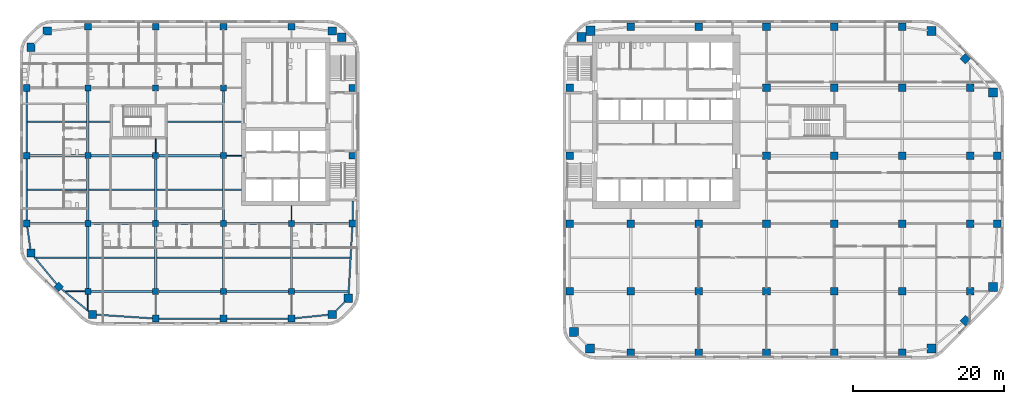
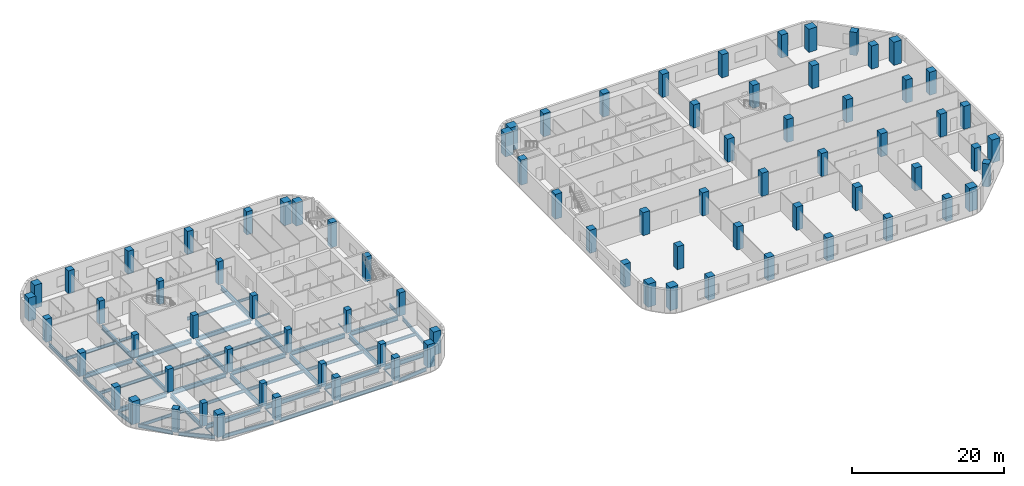
# One storey, part 1 of 16: 82 columns, 54 beams.
"""IFC4 building model written with IfcOpenShell, lengths in metres."""

from ifc_helpers import new_model, si_unit, direction, frame, origin, origin_2d, place, context, subcontext, project, spatial, rectangle, i_section, extrude, material, material_profile, profile_set, type_object, element, save


model = new_model("IFC4")

# Units and contexts
model_context = context("Model", 3, precision=1e-05, world=origin(), true_north=direction((0.0, 1.0)))
body_context = subcontext(model_context, "Body", "Model", "MODEL_VIEW")
ifc_project = project(units=[si_unit("LENGTHUNIT", "METRE"), si_unit("AREAUNIT", "SQUARE_METRE"), si_unit("VOLUMEUNIT", "CUBIC_METRE"), si_unit("PLANEANGLEUNIT", "RADIAN"), si_unit("MASSUNIT", "GRAM", prefix="KILO")], contexts=[model_context])

# Site, building, storey
site_placement = place(None, origin())
site = spatial("IfcSite", under=ifc_project, at=site_placement, CompositionType="ELEMENT")
building_placement = place(site_placement, origin())
building = spatial("IfcBuilding", under=site, at=building_placement, Name="Cinnabar Reach Civic Tower", CompositionType="ELEMENT")
storey_placement = place(building_placement, frame((0.0, 0.0, 42.0)))
storey = spatial("IfcBuildingStorey", under=building, at=storey_placement, Name="L09", CompositionType="ELEMENT", Elevation=42.0)

# Columns
ifc_material_1 = material(Name="Concrete C70", Category="concrete")
ifc_material_profile_1 = material_profile(ifc_material_1, rectangle(XDim=1.0, YDim=1.0, at=origin_2d()), Name="RC1000")
ifc_profile_set_1 = profile_set([ifc_material_profile_1], Name="Concrete C70")
column_type_1 = type_object("IfcColumnType", Name="RC1000 column R 240", PredefinedType="COLUMN", material=ifc_profile_set_1)
for number, where, z_axis, x_axis, name in (
    (1, (9.0, 0.9, 0.0), (0.0, 0.0, 1.0), (1.0, 0.0, 0.0), "Column T1-Z1-F0-1"),
    (2, (18.0, 0.9, 0.0), (0.0, 0.0, 1.0), (1.0, 0.0, 0.0), "Column T1-Z1-F0-2"),
    (3, (27.0, 0.9, 0.0), (0.0, 0.0, 1.0), (1.0, 0.0, 0.0), "Column T1-Z1-F0-3"),
    (4, (36.0, 0.9, 0.0), (0.0, 0.0, 1.0), (1.0, 0.0, 0.0), "Column T1-Z1-F0-4"),
    (5, (45.0, 0.9, 0.0), (0.0, 0.0, 1.0), (1.0, 0.0, 0.0), "Column T1-Z1-F0-5"),
    (6, (53.3636, 5.1364, 0.0), (0.0, 0.0, 1.0), (0.707106781187, 0.707106781187, 0.0), "Column T1-Z1-F1-M"),
    (7, (57.6, 18.0, 0.0), (0.0, 0.0, 1.0), (1.0, 0.0, 0.0), "Column T1-Z1-F2-2"),
    (8, (57.6, 27.0, 0.0), (0.0, 0.0, 1.0), (1.0, 0.0, 0.0), "Column T1-Z1-F2-3"),
    (9, (53.3636, 39.8636, 0.0), (0.0, 0.0, 1.0), (0.707106781187, 0.707106781187, 0.0), "Column T1-Z1-F3-M"),
    (10, (9.0, 44.1, 0.0), (0.0, 0.0, 1.0), (1.0, 0.0, 0.0), "Column T1-Z1-F4-1"),
    (11, (18.0, 44.1, 0.0), (0.0, 0.0, 1.0), (1.0, 0.0, 0.0), "Column T1-Z1-F4-2"),
    (12, (27.0, 44.1, 0.0), (0.0, 0.0, 1.0), (1.0, 0.0, 0.0), "Column T1-Z1-F4-3"),
    (13, (36.0, 44.1, 0.0), (0.0, 0.0, 1.0), (1.0, 0.0, 0.0), "Column T1-Z1-F4-4"),
    (14, (45.0, 44.1, 0.0), (0.0, 0.0, 1.0), (1.0, 0.0, 0.0), "Column T1-Z1-F4-5"),
    (15, (0.9, 9.0, 0.0), (0.0, 0.0, 1.0), (1.0, 0.0, 0.0), "Column T1-Z1-F6-1"),
    (16, (0.9, 18.0, 0.0), (0.0, 0.0, 1.0), (1.0, 0.0, 0.0), "Column T1-Z1-F6-2"),
):
    element("IfcColumn", number, at=place(storey_placement, frame(where, z_axis=z_axis, x_axis=x_axis)), inside=storey, type_object=column_type_1, Name=name, PredefinedType="COLUMN", context=body_context, shape_type="SweptSolid", body=[
        extrude(rectangle(XDim=1.0, YDim=1.0, at=origin_2d()), origin(), (0.0, 0.0, 1.0), 3.7),
    ])
for number, where, z_axis, x_axis, name in (
    (17, (0.9, 27.0, 0.0), (0.0, 0.0, 1.0), (1.0, 0.0, 0.0), "Column T1-Z1-F6-3"),
    (18, (0.9, 36.0, 0.0), (0.0, 0.0, 1.0), (1.0, 0.0, 0.0), "Column T1-Z1-F6-4"),
):
    element("IfcColumn", number, at=place(storey_placement, frame(where, z_axis=z_axis, x_axis=x_axis)), inside=storey, type_object=column_type_1, Name=name, PredefinedType="COLUMN", context=body_context, shape_type="SweptSolid", body=[
        extrude(rectangle(XDim=1.0, YDim=1.0, at=origin_2d()), origin(), (0.0, 0.0, 1.0), 4.0),
    ])
for number, where, z_axis, x_axis, name in (
    (19, (9.0, 9.0, 0.0), (0.0, 0.0, 1.0), (1.0, 0.0, 0.0), "Column T1-Z1-I9_9"),
    (20, (9.0, 18.0, 0.0), (0.0, 0.0, 1.0), (1.0, 0.0, 0.0), "Column T1-Z1-I9_18"),
    (21, (18.0, 9.0, 0.0), (0.0, 0.0, 1.0), (1.0, 0.0, 0.0), "Column T1-Z1-I18_9"),
    (22, (18.0, 18.0, 0.0), (0.0, 0.0, 1.0), (1.0, 0.0, 0.0), "Column T1-Z1-I18_18"),
    (23, (27.0, 9.0, 0.0), (0.0, 0.0, 1.0), (1.0, 0.0, 0.0), "Column T1-Z1-I27_9"),
    (24, (27.0, 18.0, 0.0), (0.0, 0.0, 1.0), (1.0, 0.0, 0.0), "Column T1-Z1-I27_18"),
    (25, (27.0, 27.0, 0.0), (0.0, 0.0, 1.0), (1.0, 0.0, 0.0), "Column T1-Z1-I27_27"),
    (26, (27.0, 36.0, 0.0), (0.0, 0.0, 1.0), (1.0, 0.0, 0.0), "Column T1-Z1-I27_36"),
    (27, (36.0, 9.0, 0.0), (0.0, 0.0, 1.0), (1.0, 0.0, 0.0), "Column T1-Z1-I36_9"),
    (28, (36.0, 18.0, 0.0), (0.0, 0.0, 1.0), (1.0, 0.0, 0.0), "Column T1-Z1-I36_18"),
    (29, (36.0, 27.0, 0.0), (0.0, 0.0, 1.0), (1.0, 0.0, 0.0), "Column T1-Z1-I36_27"),
    (30, (36.0, 36.0, 0.0), (0.0, 0.0, 1.0), (1.0, 0.0, 0.0), "Column T1-Z1-I36_36"),
    (31, (45.0, 9.0, 0.0), (0.0, 0.0, 1.0), (1.0, 0.0, 0.0), "Column T1-Z1-I45_9"),
    (32, (45.0, 18.0, 0.0), (0.0, 0.0, 1.0), (1.0, 0.0, 0.0), "Column T1-Z1-I45_18"),
    (33, (45.0, 27.0, 0.0), (0.0, 0.0, 1.0), (1.0, 0.0, 0.0), "Column T1-Z1-I45_27"),
    (34, (45.0, 36.0, 0.0), (0.0, 0.0, 1.0), (1.0, 0.0, 0.0), "Column T1-Z1-I45_36"),
    (35, (54.0, 9.0, 0.0), (0.0, 0.0, 1.0), (1.0, 0.0, 0.0), "Column T1-Z1-I54_9"),
    (36, (54.0, 18.0, 0.0), (0.0, 0.0, 1.0), (1.0, 0.0, 0.0), "Column T1-Z1-I54_18"),
    (37, (54.0, 27.0, 0.0), (0.0, 0.0, 1.0), (1.0, 0.0, 0.0), "Column T1-Z1-I54_27"),
    (38, (54.0, 36.0, 0.0), (0.0, 0.0, 1.0), (1.0, 0.0, 0.0), "Column T1-Z1-I54_36"),
):
    element("IfcColumn", number, at=place(storey_placement, frame(where, z_axis=z_axis, x_axis=x_axis)), inside=storey, type_object=column_type_1, Name=name, PredefinedType="COLUMN", context=body_context, shape_type="SweptSolid", body=[
        extrude(rectangle(XDim=1.0, YDim=1.0, at=origin_2d()), origin(), (0.0, 0.0, 1.0), 3.7),
    ])
ifc_material_2 = material(Name="Concrete C80", Category="concrete")
ifc_material_profile_2 = material_profile(ifc_material_2, rectangle(XDim=1.1, YDim=1.1, at=origin_2d()), Name="RC1100")
ifc_profile_set_2 = profile_set([ifc_material_profile_2], Name="Concrete C80")
column_type_2 = type_object("IfcColumnType", Name="RC1100 column R 180", PredefinedType="COLUMN", material=ifc_profile_set_2)
for number, where, z_axis, x_axis, name in (
    (39, (-62.3981, 5.9531, 0.0), (0.0, 0.0, 1.0), (1.0, 0.0, 0.0), "Column T2-Z1-CC0"),
    (40, (-30.6019, 5.9531, 0.0), (0.0, 0.0, 1.0), (1.0, 0.0, 0.0), "Column T2-Z1-CC1"),
    (41, (-28.4531, 8.1019, 0.0), (0.0, 0.0, 1.0), (1.0, 0.0, 0.0), "Column T2-Z1-CC2"),
    (42, (-29.3131, 42.7, 0.0), (0.0, 0.0, 1.0), (1.0, 0.0, 0.0), "Column T2-Z1-CC3"),
    (43, (-30.6019, 43.5469, 0.0), (0.0, 0.0, 1.0), (1.0, 0.0, 0.0), "Column T2-Z1-CC4"),
    (44, (-68.3981, 43.5469, 0.0), (0.0, 0.0, 1.0), (1.0, 0.0, 0.0), "Column T2-Z1-CC5"),
    (45, (-70.5469, 41.3981, 0.0), (0.0, 0.0, 1.0), (1.0, 0.0, 0.0), "Column T2-Z1-CC6"),
    (46, (-70.5469, 14.1019, 0.0), (0.0, 0.0, 1.0), (1.0, 0.0, 0.0), "Column T2-Z1-CC7"),
):
    element("IfcColumn", number, at=place(storey_placement, frame(where, z_axis=z_axis, x_axis=x_axis)), inside=storey, type_object=column_type_2, Name=name, PredefinedType="COLUMN", context=body_context, shape_type="SweptSolid", body=[
        extrude(rectangle(XDim=1.1, YDim=1.1, at=origin_2d()), origin(), (0.0, 0.0, 1.0), 3.7),
    ])
ifc_material_profile_3 = material_profile(ifc_material_2, rectangle(XDim=1.2, YDim=1.2, at=origin_2d()), Name="RC1200")
ifc_profile_set_3 = profile_set([ifc_material_profile_3], Name="Concrete C80")
column_type_3 = type_object("IfcColumnType", Name="RC1200 column R 240", PredefinedType="COLUMN", material=ifc_profile_set_3)
for number, where, z_axis, x_axis, name in (
    (47, (3.6019, 1.4531, 0.0), (0.0, 0.0, 1.0), (1.0, 0.0, 0.0), "Column T1-Z1-CC0"),
    (48, (48.8981, 1.4531, 0.0), (0.0, 0.0, 1.0), (1.0, 0.0, 0.0), "Column T1-Z1-CC1"),
    (49, (57.0469, 9.6019, 0.0), (0.0, 0.0, 1.0), (1.0, 0.0, 0.0), "Column T1-Z1-CC2"),
    (50, (57.0469, 35.3981, 0.0), (0.0, 0.0, 1.0), (1.0, 0.0, 0.0), "Column T1-Z1-CC3"),
    (51, (48.8981, 43.5469, 0.0), (0.0, 0.0, 1.0), (1.0, 0.0, 0.0), "Column T1-Z1-CC4"),
    (52, (3.6666, 43.5737, 0.0), (0.0, 0.0, 1.0), (1.0, 0.0, 0.0), "Column T1-Z1-CC5"),
    (53, (2.4631, 42.75, 0.0), (0.0, 0.0, 1.0), (1.0, 0.0, 0.0), "Column T1-Z1-CC6"),
    (54, (1.4531, 3.6019, 0.0), (0.0, 0.0, 1.0), (1.0, 0.0, 0.0), "Column T1-Z1-CC7"),
):
    element("IfcColumn", number, at=place(storey_placement, frame(where, z_axis=z_axis, x_axis=x_axis)), inside=storey, type_object=column_type_3, Name=name, PredefinedType="COLUMN", context=body_context, shape_type="SweptSolid", body=[
        extrude(rectangle(XDim=1.2, YDim=1.2, at=origin_2d()), origin(), (0.0, 0.0, 1.0), 3.7),
    ])
ifc_material_3 = material(Name="Concrete C60", Category="concrete")
ifc_material_profile_4 = material_profile(ifc_material_3, rectangle(XDim=0.8, YDim=0.8, at=origin_2d()), Name="RC800")
ifc_profile_set_4 = profile_set([ifc_material_profile_4], Name="Concrete C60")
column_type_4 = type_object("IfcColumnType", Name="RC800 column R 180", PredefinedType="COLUMN", material=ifc_profile_set_4)
for number, where, z_axis, x_axis, name in (
    (55, (-63.0, 9.0, 0.0), (0.0, 0.0, 1.0), (1.0, 0.0, 0.0), "Column T2-Z1-I-63_9"),
    (56, (-63.0, 18.0, 0.0), (0.0, 0.0, 1.0), (1.0, 0.0, 0.0), "Column T2-Z1-I-63_18"),
    (57, (-63.0, 27.0, 0.0), (0.0, 0.0, 1.0), (1.0, 0.0, 0.0), "Column T2-Z1-I-63_27"),
    (58, (-63.0, 36.0, 0.0), (0.0, 0.0, 1.0), (1.0, 0.0, 0.0), "Column T2-Z1-I-63_36"),
    (59, (-54.0, 9.0, 0.0), (0.0, 0.0, 1.0), (1.0, 0.0, 0.0), "Column T2-Z1-I-54_9"),
    (60, (-54.0, 18.0, 0.0), (0.0, 0.0, 1.0), (1.0, 0.0, 0.0), "Column T2-Z1-I-54_18"),
    (61, (-54.0, 27.0, 0.0), (0.0, 0.0, 1.0), (1.0, 0.0, 0.0), "Column T2-Z1-I-54_27"),
    (62, (-54.0, 36.0, 0.0), (0.0, 0.0, 1.0), (1.0, 0.0, 0.0), "Column T2-Z1-I-54_36"),
    (63, (-45.0, 9.0, 0.0), (0.0, 0.0, 1.0), (1.0, 0.0, 0.0), "Column T2-Z1-I-45_9"),
    (64, (-45.0, 18.0, 0.0), (0.0, 0.0, 1.0), (1.0, 0.0, 0.0), "Column T2-Z1-I-45_18"),
    (65, (-45.0, 27.0, 0.0), (0.0, 0.0, 1.0), (1.0, 0.0, 0.0), "Column T2-Z1-I-45_27"),
    (66, (-45.0, 36.0, 0.0), (0.0, 0.0, 1.0), (1.0, 0.0, 0.0), "Column T2-Z1-I-45_36"),
    (67, (-36.0, 9.0, 0.0), (0.0, 0.0, 1.0), (1.0, 0.0, 0.0), "Column T2-Z1-I-36_9"),
    (68, (-36.0, 18.0, 0.0), (0.0, 0.0, 1.0), (1.0, 0.0, 0.0), "Column T2-Z1-I-36_18"),
):
    element("IfcColumn", number, at=place(storey_placement, frame(where, z_axis=z_axis, x_axis=x_axis)), inside=storey, type_object=column_type_4, Name=name, PredefinedType="COLUMN", context=body_context, shape_type="SweptSolid", body=[
        extrude(rectangle(XDim=0.8, YDim=0.8, at=origin_2d()), origin(), (0.0, 0.0, 1.0), 3.7),
    ])
ifc_material_profile_5 = material_profile(ifc_material_1, rectangle(XDim=0.9, YDim=0.9, at=origin_2d()), Name="RC900")
ifc_profile_set_5 = profile_set([ifc_material_profile_5], Name="Concrete C70")
column_type_5 = type_object("IfcColumnType", Name="RC900 column R 180", PredefinedType="COLUMN", material=ifc_profile_set_5)
for number, where, z_axis, x_axis, name in (
    (69, (-54.0, 5.4, 0.0), (0.0, 0.0, 1.0), (1.0, 0.0, 0.0), "Column T2-Z1-F0--6"),
    (70, (-45.0, 5.4, 0.0), (0.0, 0.0, 1.0), (1.0, 0.0, 0.0), "Column T2-Z1-F0--5"),
    (71, (-36.0, 5.4, 0.0), (0.0, 0.0, 1.0), (1.0, 0.0, 0.0), "Column T2-Z1-F0--4"),
    (72, (-27.9, 18.0, 0.0), (0.0, 0.0, 1.0), (1.0, 0.0, 0.0), "Column T2-Z1-F2-2"),
):
    element("IfcColumn", number, at=place(storey_placement, frame(where, z_axis=z_axis, x_axis=x_axis)), inside=storey, type_object=column_type_5, Name=name, PredefinedType="COLUMN", context=body_context, shape_type="SweptSolid", body=[
        extrude(rectangle(XDim=0.9, YDim=0.9, at=origin_2d()), origin(), (0.0, 0.0, 1.0), 3.7),
    ])
for number, where, z_axis, x_axis, name in (
    (73, (-27.9, 27.0, 0.0), (0.0, 0.0, 1.0), (1.0, 0.0, 0.0), "Column T2-Z1-F2-3"),
    (74, (-27.9, 36.0, 0.0), (0.0, 0.0, 1.0), (1.0, 0.0, 0.0), "Column T2-Z1-F2-4"),
):
    element("IfcColumn", number, at=place(storey_placement, frame(where, z_axis=z_axis, x_axis=x_axis)), inside=storey, type_object=column_type_5, Name=name, PredefinedType="COLUMN", context=body_context, shape_type="SweptSolid", body=[
        extrude(rectangle(XDim=0.9, YDim=0.9, at=origin_2d()), origin(), (0.0, 0.0, 1.0), 4.0),
    ])
for number, where, z_axis, x_axis, name in (
    (75, (-63.0, 44.1, 0.0), (0.0, 0.0, 1.0), (1.0, 0.0, 0.0), "Column T2-Z1-F4--7"),
    (76, (-54.0, 44.1, 0.0), (0.0, 0.0, 1.0), (1.0, 0.0, 0.0), "Column T2-Z1-F4--6"),
    (77, (-45.0, 44.1, 0.0), (0.0, 0.0, 1.0), (1.0, 0.0, 0.0), "Column T2-Z1-F4--5"),
    (78, (-36.0, 44.1, 0.0), (0.0, 0.0, 1.0), (1.0, 0.0, 0.0), "Column T2-Z1-F4--4"),
    (79, (-71.1, 18.0, 0.0), (0.0, 0.0, 1.0), (1.0, 0.0, 0.0), "Column T2-Z1-F6-2"),
    (80, (-71.1, 27.0, 0.0), (0.0, 0.0, 1.0), (1.0, 0.0, 0.0), "Column T2-Z1-F6-3"),
    (81, (-71.1, 36.0, 0.0), (0.0, 0.0, 1.0), (1.0, 0.0, 0.0), "Column T2-Z1-F6-4"),
    (82, (-66.8636, 9.6364, 0.0), (0.0, 0.0, 1.0), (0.707106781187, 0.707106781187, 0.0), "Column T2-Z1-F7-M"),
):
    element("IfcColumn", number, at=place(storey_placement, frame(where, z_axis=z_axis, x_axis=x_axis)), inside=storey, type_object=column_type_5, Name=name, PredefinedType="COLUMN", context=body_context, shape_type="SweptSolid", body=[
        extrude(rectangle(XDim=0.9, YDim=0.9, at=origin_2d()), origin(), (0.0, 0.0, 1.0), 3.7),
    ])

# Beams
ifc_material_4 = material(Name="Steel Q355B", Category="steel")
ifc_material_profile_6 = material_profile(ifc_material_4, i_section(OverallWidth=0.099, OverallDepth=0.198, WebThickness=0.0045, FlangeThickness=0.007, FilletRadius=0.013, at=origin_2d()), Name="HN200x100x5.5x8")
ifc_profile_set_6 = profile_set([ifc_material_profile_6], Name="Steel Q355B")
beam_type_1 = type_object("IfcBeamType", Name="HN200x100x5.5x8 beam R 120", PredefinedType="BEAM", material=ifc_profile_set_6)
beam_1_placement = place(storey_placement, frame((-63.0, 6.5818, -0.249), z_axis=(0.0, 1.0, 0.0), x_axis=(-1.0, 0.0, 0.0)))
element("IfcBeam", 83, at=beam_1_placement, inside=storey, type_object=beam_type_1, Name="Girder T2 L09 1", PredefinedType="BEAM", context=body_context, shape_type="SweptSolid", body=[
    extrude(i_section(OverallWidth=0.099, OverallDepth=0.198, WebThickness=0.0045, FlangeThickness=0.007, FilletRadius=0.013, at=origin_2d()), origin(), (0.0, 0.0, 1.0), 2.0162),
])
beam_2_placement = place(storey_placement, frame((-54.0, 5.852, -0.249), z_axis=(0.0, 1.0, 0.0), x_axis=(-1.0, 0.0, 0.0)))
element("IfcBeam", 84, at=beam_2_placement, inside=storey, type_object=beam_type_1, Name="Girder T2 L09 6", PredefinedType="BEAM", context=body_context, shape_type="SweptSolid", body=[
    extrude(i_section(OverallWidth=0.099, OverallDepth=0.198, WebThickness=0.0045, FlangeThickness=0.007, FilletRadius=0.013, at=origin_2d()), origin(), (0.0, 0.0, 1.0), 2.746),
])
beam_3_placement = place(storey_placement, frame((-54.0, 27.402, -0.249), z_axis=(0.0, 1.0, 0.0), x_axis=(-1.0, 0.0, 0.0)))
element("IfcBeam", 85, at=beam_3_placement, inside=storey, type_object=beam_type_1, Name="Girder T2 L09 9", PredefinedType="BEAM", context=body_context, shape_type="SweptSolid", body=[
    extrude(i_section(OverallWidth=0.099, OverallDepth=0.198, WebThickness=0.0045, FlangeThickness=0.007, FilletRadius=0.013, at=origin_2d()), origin(), (0.0, 0.0, 1.0), 1.846),
])
for number, where, z_axis, x_axis, name in (
    (86, (-45.0, 5.852, -0.249), (0.0, 1.0, 0.0), (-1.0, 0.0, 0.0), "Girder T2 L09 12"),
    (87, (-36.0, 5.852, -0.249), (0.0, 1.0, 0.0), (-1.0, 0.0, 0.0), "Girder T2 L09 17"),
):
    element("IfcBeam", number, at=place(storey_placement, frame(where, z_axis=z_axis, x_axis=x_axis)), inside=storey, type_object=beam_type_1, Name=name, PredefinedType="BEAM", context=body_context, shape_type="SweptSolid", body=[
        extrude(i_section(OverallWidth=0.099, OverallDepth=0.198, WebThickness=0.0045, FlangeThickness=0.007, FilletRadius=0.013, at=origin_2d()), origin(), (0.0, 0.0, 1.0), 2.746),
    ])
beam_4_placement = place(storey_placement, frame((-36.0, 18.402, -0.249), z_axis=(0.0, 1.0, 0.0), x_axis=(-1.0, 0.0, 0.0)))
element("IfcBeam", 88, at=beam_4_placement, inside=storey, type_object=beam_type_1, Name="Girder T2 L09 19", PredefinedType="BEAM", context=body_context, shape_type="SweptSolid", body=[
    extrude(i_section(OverallWidth=0.099, OverallDepth=0.198, WebThickness=0.0045, FlangeThickness=0.007, FilletRadius=0.013, at=origin_2d()), origin(), (0.0, 0.0, 1.0), 1.996),
])
ifc_material_profile_7 = material_profile(ifc_material_4, i_section(OverallWidth=0.124, OverallDepth=0.248, WebThickness=0.005, FlangeThickness=0.008, FilletRadius=0.013, at=origin_2d()), Name="HN250x125x6x9")
ifc_profile_set_7 = profile_set([ifc_material_profile_7], Name="Steel Q355B")
beam_type_2 = type_object("IfcBeamType", Name="HN250x125x6x9 beam R 120", PredefinedType="BEAM", material=ifc_profile_set_7)
beam_5_placement = place(storey_placement, frame((-65.9318, 9.0, -0.274), z_axis=(1.0, 0.0, 0.0), x_axis=(0.0, 1.0, 0.0)))
element("IfcBeam", 89, at=beam_5_placement, inside=storey, type_object=beam_type_2, Name="Girder T2 L09 1", PredefinedType="BEAM", context=body_context, shape_type="SweptSolid", body=[
    extrude(i_section(OverallWidth=0.124, OverallDepth=0.248, WebThickness=0.005, FlangeThickness=0.008, FilletRadius=0.013, at=origin_2d()), origin(), (0.0, 0.0, 1.0), 2.5298),
])
beam_6_placement = place(storey_placement, frame((-44.598, 27.0, -0.274), z_axis=(1.0, 0.0, 0.0), x_axis=(0.0, 1.0, 0.0)))
element("IfcBeam", 90, at=beam_6_placement, inside=storey, type_object=beam_type_2, Name="Girder T2 L09 14", PredefinedType="BEAM", context=body_context, shape_type="SweptSolid", body=[
    extrude(i_section(OverallWidth=0.124, OverallDepth=0.248, WebThickness=0.005, FlangeThickness=0.008, FilletRadius=0.013, at=origin_2d()), origin(), (0.0, 0.0, 1.0), 1.996),
])
ifc_material_profile_8 = material_profile(ifc_material_4, i_section(OverallWidth=0.2, OverallDepth=0.4, WebThickness=0.008, FlangeThickness=0.013, FilletRadius=0.016, at=origin_2d()), Name="HN400x200x8x13")
ifc_profile_set_8 = profile_set([ifc_material_profile_8], Name="Steel Q355B")
beam_type_3 = type_object("IfcBeamType", Name="HN400x200x8x13 beam R 120", PredefinedType="BEAM", material=ifc_profile_set_8)
beam_7_placement = place(storey_placement, frame((-44.848, 22.5, -0.35), z_axis=(1.0, 0.0, 0.0), x_axis=(0.0, 1.0, 0.0)))
element("IfcBeam", 91, at=beam_7_placement, inside=storey, type_object=beam_type_3, Name="Secondary beam T2 L09 9", PredefinedType="BEAM", context=body_context, shape_type="SweptSolid", body=[
    extrude(i_section(OverallWidth=0.2, OverallDepth=0.4, WebThickness=0.008, FlangeThickness=0.013, FilletRadius=0.016, at=origin_2d()), origin(), (0.0, 0.0, 1.0), 2.246),
])
beam_8_placement = place(storey_placement, frame((-62.848, 31.5, -0.35), z_axis=(1.0, 0.0, 0.0), x_axis=(0.0, 1.0, 0.0)))
element("IfcBeam", 92, at=beam_8_placement, inside=storey, type_object=beam_type_3, Name="Secondary beam T2 L09 11", PredefinedType="BEAM", context=body_context, shape_type="SweptSolid", body=[
    extrude(i_section(OverallWidth=0.2, OverallDepth=0.4, WebThickness=0.008, FlangeThickness=0.013, FilletRadius=0.016, at=origin_2d()), origin(), (0.0, 0.0, 1.0), 2.846),
])
beam_9_placement = place(storey_placement, frame((-44.848, 31.5, -0.35), z_axis=(1.0, 0.0, 0.0), x_axis=(0.0, 1.0, 0.0)))
element("IfcBeam", 93, at=beam_9_placement, inside=storey, type_object=beam_type_3, Name="Secondary beam T2 L09 13", PredefinedType="BEAM", context=body_context, shape_type="SweptSolid", body=[
    extrude(i_section(OverallWidth=0.2, OverallDepth=0.4, WebThickness=0.008, FlangeThickness=0.013, FilletRadius=0.016, at=origin_2d()), origin(), (0.0, 0.0, 1.0), 2.246),
])
ifc_material_profile_9 = material_profile(ifc_material_4, i_section(OverallWidth=0.2, OverallDepth=0.5, WebThickness=0.01, FlangeThickness=0.016, FilletRadius=0.016, at=origin_2d()), Name="HN500x200x10x16")
ifc_profile_set_9 = profile_set([ifc_material_profile_9], Name="Steel Q355B")
beam_type_4 = type_object("IfcBeamType", Name="HN500x200x10x16 beam R 120", PredefinedType="BEAM", material=ifc_profile_set_9)
beam_10_placement = place(storey_placement, frame((-69.9182, 13.5, -0.4), z_axis=(1.0, 0.0, 0.0), x_axis=(0.0, 1.0, 0.0)))
element("IfcBeam", 94, at=beam_10_placement, inside=storey, type_object=beam_type_4, Name="Secondary beam T2 L09 1", PredefinedType="BEAM", context=body_context, shape_type="SweptSolid", body=[
    extrude(i_section(OverallWidth=0.2, OverallDepth=0.5, WebThickness=0.01, FlangeThickness=0.016, FilletRadius=0.016, at=origin_2d()), origin(), (0.0, 0.0, 1.0), 6.7662),
])
for number, where, z_axis, x_axis, name in (
    (95, (-62.848, 13.5, -0.4), (1.0, 0.0, 0.0), (0.0, 1.0, 0.0), "Secondary beam T2 L09 2"),
    (96, (-53.848, 13.5, -0.4), (1.0, 0.0, 0.0), (0.0, 1.0, 0.0), "Secondary beam T2 L09 3"),
    (97, (-44.848, 13.5, -0.4), (1.0, 0.0, 0.0), (0.0, 1.0, 0.0), "Secondary beam T2 L09 4"),
):
    element("IfcBeam", number, at=place(storey_placement, frame(where, z_axis=z_axis, x_axis=x_axis)), inside=storey, type_object=beam_type_4, Name=name, PredefinedType="BEAM", context=body_context, shape_type="SweptSolid", body=[
        extrude(i_section(OverallWidth=0.2, OverallDepth=0.5, WebThickness=0.01, FlangeThickness=0.016, FilletRadius=0.016, at=origin_2d()), origin(), (0.0, 0.0, 1.0), 8.696),
    ])
beam_11_placement = place(storey_placement, frame((-35.848, 13.5, -0.4), z_axis=(1.0, 0.0, 0.0), x_axis=(0.0, 1.0, 0.0)))
element("IfcBeam", 98, at=beam_11_placement, inside=storey, type_object=beam_type_4, Name="Secondary beam T2 L09 5", PredefinedType="BEAM", context=body_context, shape_type="SweptSolid", body=[
    extrude(i_section(OverallWidth=0.2, OverallDepth=0.5, WebThickness=0.01, FlangeThickness=0.016, FilletRadius=0.016, at=origin_2d()), origin(), (0.0, 0.0, 1.0), 7.5944),
])
beam_12_placement = place(storey_placement, frame((-70.998, 22.5, -0.4), z_axis=(1.0, 0.0, 0.0), x_axis=(0.0, 1.0, 0.0)))
element("IfcBeam", 99, at=beam_12_placement, inside=storey, type_object=beam_type_4, Name="Secondary beam T2 L09 6", PredefinedType="BEAM", context=body_context, shape_type="SweptSolid", body=[
    extrude(i_section(OverallWidth=0.2, OverallDepth=0.5, WebThickness=0.01, FlangeThickness=0.016, FilletRadius=0.016, at=origin_2d()), origin(), (0.0, 0.0, 1.0), 7.846),
])
for number, where, z_axis, x_axis, name in (
    (100, (-62.848, 22.5, -0.4), (1.0, 0.0, 0.0), (0.0, 1.0, 0.0), "Secondary beam T2 L09 7"),
    (101, (-53.848, 22.5, -0.4), (1.0, 0.0, 0.0), (0.0, 1.0, 0.0), "Secondary beam T2 L09 8"),
):
    element("IfcBeam", number, at=place(storey_placement, frame(where, z_axis=z_axis, x_axis=x_axis)), inside=storey, type_object=beam_type_4, Name=name, PredefinedType="BEAM", context=body_context, shape_type="SweptSolid", body=[
        extrude(i_section(OverallWidth=0.2, OverallDepth=0.5, WebThickness=0.01, FlangeThickness=0.016, FilletRadius=0.016, at=origin_2d()), origin(), (0.0, 0.0, 1.0), 8.696),
    ])
beam_13_placement = place(storey_placement, frame((-70.998, 31.5, -0.4), z_axis=(1.0, 0.0, 0.0), x_axis=(0.0, 1.0, 0.0)))
element("IfcBeam", 102, at=beam_13_placement, inside=storey, type_object=beam_type_4, Name="Secondary beam T2 L09 10", PredefinedType="BEAM", context=body_context, shape_type="SweptSolid", body=[
    extrude(i_section(OverallWidth=0.2, OverallDepth=0.5, WebThickness=0.01, FlangeThickness=0.016, FilletRadius=0.016, at=origin_2d()), origin(), (0.0, 0.0, 1.0), 7.846),
])
beam_14_placement = place(storey_placement, frame((-52.498, 31.5, -0.4), z_axis=(1.0, 0.0, 0.0), x_axis=(0.0, 1.0, 0.0)))
element("IfcBeam", 103, at=beam_14_placement, inside=storey, type_object=beam_type_4, Name="Secondary beam T2 L09 12", PredefinedType="BEAM", context=body_context, shape_type="SweptSolid", body=[
    extrude(i_section(OverallWidth=0.2, OverallDepth=0.5, WebThickness=0.01, FlangeThickness=0.016, FilletRadius=0.016, at=origin_2d()), origin(), (0.0, 0.0, 1.0), 7.346),
])
ifc_material_profile_10 = material_profile(ifc_material_4, i_section(OverallWidth=0.2, OverallDepth=0.6, WebThickness=0.011, FlangeThickness=0.017, FilletRadius=0.016, at=origin_2d()), Name="HN600x200x11x17")
ifc_profile_set_10 = profile_set([ifc_material_profile_10], Name="Steel Q355B")
beam_type_5 = type_object("IfcBeamType", Name="HN600x200x11x17 beam R 120", PredefinedType="BEAM", material=ifc_profile_set_10)
beam_15_placement = place(storey_placement, frame((-61.9661, 5.9246, -0.45), z_axis=(0.99783894477, -0.065707231721, 0.0), x_axis=(0.065707231721, 0.99783894477, 0.0)))
element("IfcBeam", 104, at=beam_15_placement, inside=storey, type_object=beam_type_5, Name="Edge beam T2 L09 1", PredefinedType="BEAM", context=body_context, shape_type="SweptSolid", body=[
    extrude(i_section(OverallWidth=0.2, OverallDepth=0.6, WebThickness=0.011, FlangeThickness=0.017, FilletRadius=0.016, at=origin_2d()), origin(), (0.0, 0.0, 1.0), 7.5304),
])
for number, where, z_axis, x_axis, name in (
    (105, (-53.548, 5.4, -0.45), (1.0, 0.0, 0.0), (0.0, 1.0, 0.0), "Edge beam T2 L09 2"),
    (106, (-44.548, 5.4, -0.45), (1.0, 0.0, 0.0), (0.0, 1.0, 0.0), "Edge beam T2 L09 3"),
):
    element("IfcBeam", number, at=place(storey_placement, frame(where, z_axis=z_axis, x_axis=x_axis)), inside=storey, type_object=beam_type_5, Name=name, PredefinedType="BEAM", context=body_context, shape_type="SweptSolid", body=[
        extrude(i_section(OverallWidth=0.2, OverallDepth=0.6, WebThickness=0.011, FlangeThickness=0.017, FilletRadius=0.016, at=origin_2d()), origin(), (0.0, 0.0, 1.0), 8.096),
    ])
beam_16_placement = place(storey_placement, frame((-35.548, 5.4463, -0.45), z_axis=(0.994792272495, 0.101923179821, 0.0), x_axis=(-0.101923179821, 0.994792272495, 0.0)))
element("IfcBeam", 107, at=beam_16_placement, inside=storey, type_object=beam_type_5, Name="Edge beam T2 L09 4", PredefinedType="BEAM", context=body_context, shape_type="SweptSolid", body=[
    extrude(i_section(OverallWidth=0.2, OverallDepth=0.6, WebThickness=0.011, FlangeThickness=0.017, FilletRadius=0.016, at=origin_2d()), origin(), (0.0, 0.0, 1.0), 4.5377),
])
beam_17_placement = place(storey_placement, frame((-30.1699, 6.3851, -0.45), z_axis=(0.707106781187, 0.707106781187, 0.0), x_axis=(-0.707106781187, 0.707106781187, 0.0)))
element("IfcBeam", 108, at=beam_17_placement, inside=storey, type_object=beam_type_5, Name="Edge beam T2 L09 5", PredefinedType="BEAM", context=body_context, shape_type="SweptSolid", body=[
    extrude(i_section(OverallWidth=0.2, OverallDepth=0.6, WebThickness=0.011, FlangeThickness=0.017, FilletRadius=0.016, at=origin_2d()), origin(), (0.0, 0.0, 1.0), 1.817),
])
beam_18_placement = place(storey_placement, frame((-28.429, 8.5339, -0.45), z_axis=(0.055792085863, 0.998442408532, 0.0), x_axis=(-0.998442408532, 0.055792085863, 0.0)))
element("IfcBeam", 109, at=beam_18_placement, inside=storey, type_object=beam_type_5, Name="Edge beam T2 L09 6", PredefinedType="BEAM", context=body_context, shape_type="SweptSolid", body=[
    extrude(i_section(OverallWidth=0.2, OverallDepth=0.6, WebThickness=0.011, FlangeThickness=0.017, FilletRadius=0.016, at=origin_2d()), origin(), (0.0, 0.0, 1.0), 9.0282),
])
beam_19_placement = place(storey_placement, frame((-27.9, 18.452, -0.45), z_axis=(0.0, 1.0, 0.0), x_axis=(-1.0, 0.0, 0.0)))
element("IfcBeam", 110, at=beam_19_placement, inside=storey, type_object=beam_type_5, Name="Edge beam T2 L09 7", PredefinedType="BEAM", context=body_context, shape_type="SweptSolid", body=[
    extrude(i_section(OverallWidth=0.2, OverallDepth=0.6, WebThickness=0.011, FlangeThickness=0.017, FilletRadius=0.016, at=origin_2d()), origin(), (0.0, 0.0, 1.0), 2.546),
])
for number, where, z_axis, x_axis, name in (
    (111, (-71.1, 35.548, -0.45), (0.0, -1.0, 0.0), (1.0, 0.0, 0.0), "Edge beam T2 L09 16"),
    (112, (-71.1, 26.548, -0.45), (0.0, -1.0, 0.0), (1.0, 0.0, 0.0), "Edge beam T2 L09 17"),
):
    element("IfcBeam", number, at=place(storey_placement, frame(where, z_axis=z_axis, x_axis=x_axis)), inside=storey, type_object=beam_type_5, Name=name, PredefinedType="BEAM", context=body_context, shape_type="SweptSolid", body=[
        extrude(i_section(OverallWidth=0.2, OverallDepth=0.6, WebThickness=0.011, FlangeThickness=0.017, FilletRadius=0.016, at=origin_2d()), origin(), (0.0, 0.0, 1.0), 8.096),
    ])
beam_20_placement = place(storey_placement, frame((-71.0359, 17.548, -0.45), z_axis=(0.140492342965, -0.990081765092, 0.0), x_axis=(0.990081765092, 0.140492342965, 0.0)))
element("IfcBeam", 113, at=beam_20_placement, inside=storey, type_object=beam_type_5, Name="Edge beam T2 L09 18", PredefinedType="BEAM", context=body_context, shape_type="SweptSolid", body=[
    extrude(i_section(OverallWidth=0.2, OverallDepth=0.6, WebThickness=0.011, FlangeThickness=0.017, FilletRadius=0.016, at=origin_2d()), origin(), (0.0, 0.0, 1.0), 3.0443),
])
for number, where, z_axis, x_axis, name in (
    (114, (-70.1906, 13.6699, -0.45), (0.63630880182, -0.771434448755, 0.0), (0.771434448755, 0.63630880182, 0.0), "Edge beam T2 L09 19"),
    (115, (-66.5598, 9.3858, -0.45), (0.771434448755, -0.63630880182, 0.0), (0.63630880182, 0.771434448755, 0.0), "Edge beam T2 L09 20"),
):
    element("IfcBeam", number, at=place(storey_placement, frame(where, z_axis=z_axis, x_axis=x_axis)), inside=storey, type_object=beam_type_5, Name=name, PredefinedType="BEAM", context=body_context, shape_type="SweptSolid", body=[
        extrude(i_section(OverallWidth=0.2, OverallDepth=0.6, WebThickness=0.011, FlangeThickness=0.017, FilletRadius=0.016, at=origin_2d()), origin(), (0.0, 0.0, 1.0), 4.8348),
    ])
ifc_material_profile_11 = material_profile(ifc_material_4, i_section(OverallWidth=0.3, OverallDepth=0.692, WebThickness=0.013, FlangeThickness=0.02, FilletRadius=0.016, at=origin_2d()), Name="HN692x300x13x20")
ifc_profile_set_11 = profile_set([ifc_material_profile_11], Name="Steel Q355B")
beam_type_6 = type_object("IfcBeamType", Name="HN692x300x13x20 beam R 120", PredefinedType="BEAM", material=ifc_profile_set_11)
for number, where, z_axis, x_axis, name in (
    (116, (-63.0, 9.402, -0.496), (0.0, 1.0, 0.0), (-1.0, 0.0, 0.0), "Girder T2 L09 2"),
    (117, (-63.0, 18.402, -0.496), (0.0, 1.0, 0.0), (-1.0, 0.0, 0.0), "Girder T2 L09 3"),
    (118, (-63.0, 27.402, -0.496), (0.0, 1.0, 0.0), (-1.0, 0.0, 0.0), "Girder T2 L09 4"),
    (119, (-54.0, 9.402, -0.496), (0.0, 1.0, 0.0), (-1.0, 0.0, 0.0), "Girder T2 L09 7"),
    (120, (-54.0, 18.402, -0.496), (0.0, 1.0, 0.0), (-1.0, 0.0, 0.0), "Girder T2 L09 8"),
    (121, (-45.0, 9.402, -0.496), (0.0, 1.0, 0.0), (-1.0, 0.0, 0.0), "Girder T2 L09 13"),
    (122, (-45.0, 18.402, -0.496), (0.0, 1.0, 0.0), (-1.0, 0.0, 0.0), "Girder T2 L09 14"),
    (123, (-45.0, 27.402, -0.496), (0.0, 1.0, 0.0), (-1.0, 0.0, 0.0), "Girder T2 L09 15"),
    (124, (-36.0, 9.402, -0.496), (0.0, 1.0, 0.0), (-1.0, 0.0, 0.0), "Girder T2 L09 18"),
):
    element("IfcBeam", number, at=place(storey_placement, frame(where, z_axis=z_axis, x_axis=x_axis)), inside=storey, type_object=beam_type_6, Name=name, PredefinedType="BEAM", context=body_context, shape_type="SweptSolid", body=[
        extrude(i_section(OverallWidth=0.3, OverallDepth=0.692, WebThickness=0.013, FlangeThickness=0.02, FilletRadius=0.016, at=origin_2d()), origin(), (0.0, 0.0, 1.0), 8.196),
    ])
ifc_material_profile_12 = material_profile(ifc_material_4, i_section(OverallWidth=0.3, OverallDepth=0.7, WebThickness=0.013, FlangeThickness=0.024, FilletRadius=0.02, at=origin_2d()), Name="HN700x300x13x24")
ifc_profile_set_12 = profile_set([ifc_material_profile_12], Name="Steel Q355B")
beam_type_7 = type_object("IfcBeamType", Name="HN700x300x13x24 beam R 120", PredefinedType="BEAM", material=ifc_profile_set_12)
for number, where, z_axis, x_axis, name in (
    (125, (-62.598, 9.0, -0.5), (1.0, 0.0, 0.0), (0.0, 1.0, 0.0), "Girder T2 L09 2"),
    (126, (-53.598, 9.0, -0.5), (1.0, 0.0, 0.0), (0.0, 1.0, 0.0), "Girder T2 L09 3"),
    (127, (-44.598, 9.0, -0.5), (1.0, 0.0, 0.0), (0.0, 1.0, 0.0), "Girder T2 L09 4"),
):
    element("IfcBeam", number, at=place(storey_placement, frame(where, z_axis=z_axis, x_axis=x_axis)), inside=storey, type_object=beam_type_7, Name=name, PredefinedType="BEAM", context=body_context, shape_type="SweptSolid", body=[
        extrude(i_section(OverallWidth=0.3, OverallDepth=0.7, WebThickness=0.013, FlangeThickness=0.024, FilletRadius=0.02, at=origin_2d()), origin(), (0.0, 0.0, 1.0), 8.196),
    ])
beam_21_placement = place(storey_placement, frame((-35.598, 9.0, -0.5), z_axis=(1.0, 0.0, 0.0), x_axis=(0.0, 1.0, 0.0)))
element("IfcBeam", 128, at=beam_21_placement, inside=storey, type_object=beam_type_7, Name="Girder T2 L09 5", PredefinedType="BEAM", context=body_context, shape_type="SweptSolid", body=[
    extrude(i_section(OverallWidth=0.3, OverallDepth=0.7, WebThickness=0.013, FlangeThickness=0.024, FilletRadius=0.02, at=origin_2d()), origin(), (0.0, 0.0, 1.0), 7.0929),
])
beam_22_placement = place(storey_placement, frame((-70.648, 18.0, -0.5), z_axis=(1.0, 0.0, 0.0), x_axis=(0.0, 1.0, 0.0)))
element("IfcBeam", 129, at=beam_22_placement, inside=storey, type_object=beam_type_7, Name="Girder T2 L09 6", PredefinedType="BEAM", context=body_context, shape_type="SweptSolid", body=[
    extrude(i_section(OverallWidth=0.3, OverallDepth=0.7, WebThickness=0.013, FlangeThickness=0.024, FilletRadius=0.02, at=origin_2d()), origin(), (0.0, 0.0, 1.0), 7.246),
])
for number, where, z_axis, x_axis, name in (
    (130, (-62.598, 18.0, -0.5), (1.0, 0.0, 0.0), (0.0, 1.0, 0.0), "Girder T2 L09 7"),
    (131, (-53.598, 18.0, -0.5), (1.0, 0.0, 0.0), (0.0, 1.0, 0.0), "Girder T2 L09 8"),
    (132, (-44.598, 18.0, -0.5), (1.0, 0.0, 0.0), (0.0, 1.0, 0.0), "Girder T2 L09 9"),
):
    element("IfcBeam", number, at=place(storey_placement, frame(where, z_axis=z_axis, x_axis=x_axis)), inside=storey, type_object=beam_type_7, Name=name, PredefinedType="BEAM", context=body_context, shape_type="SweptSolid", body=[
        extrude(i_section(OverallWidth=0.3, OverallDepth=0.7, WebThickness=0.013, FlangeThickness=0.024, FilletRadius=0.02, at=origin_2d()), origin(), (0.0, 0.0, 1.0), 8.196),
    ])
for number, where, z_axis, x_axis, name in (
    (133, (-35.598, 18.0, -0.5), (1.0, 0.0, 0.0), (0.0, 1.0, 0.0), "Girder T2 L09 10"),
    (134, (-70.648, 27.0, -0.5), (1.0, 0.0, 0.0), (0.0, 1.0, 0.0), "Girder T2 L09 11"),
):
    element("IfcBeam", number, at=place(storey_placement, frame(where, z_axis=z_axis, x_axis=x_axis)), inside=storey, type_object=beam_type_7, Name=name, PredefinedType="BEAM", context=body_context, shape_type="SweptSolid", body=[
        extrude(i_section(OverallWidth=0.3, OverallDepth=0.7, WebThickness=0.013, FlangeThickness=0.024, FilletRadius=0.02, at=origin_2d()), origin(), (0.0, 0.0, 1.0), 7.246),
    ])
for number, where, z_axis, x_axis, name in (
    (135, (-62.598, 27.0, -0.5), (1.0, 0.0, 0.0), (0.0, 1.0, 0.0), "Girder T2 L09 12"),
    (136, (-53.598, 27.0, -0.5), (1.0, 0.0, 0.0), (0.0, 1.0, 0.0), "Girder T2 L09 13"),
):
    element("IfcBeam", number, at=place(storey_placement, frame(where, z_axis=z_axis, x_axis=x_axis)), inside=storey, type_object=beam_type_7, Name=name, PredefinedType="BEAM", context=body_context, shape_type="SweptSolid", body=[
        extrude(i_section(OverallWidth=0.3, OverallDepth=0.7, WebThickness=0.013, FlangeThickness=0.024, FilletRadius=0.02, at=origin_2d()), origin(), (0.0, 0.0, 1.0), 8.196),
    ])

save(model, "model.ifc")
